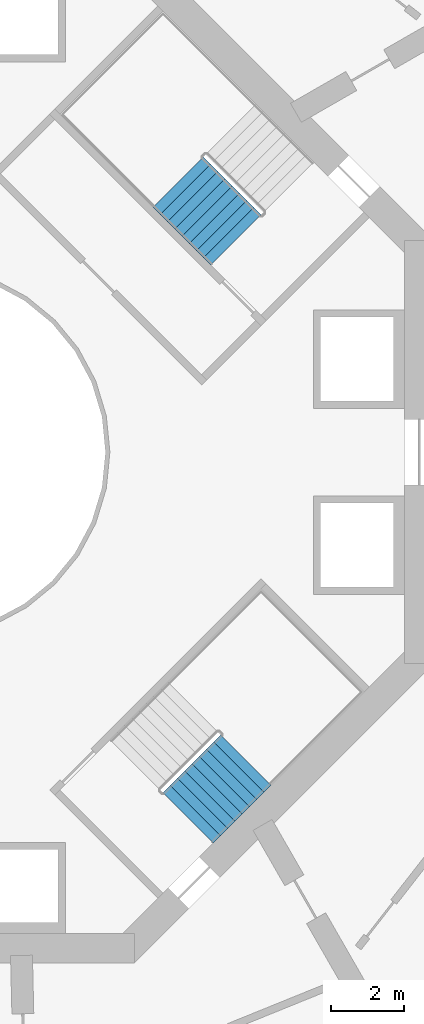
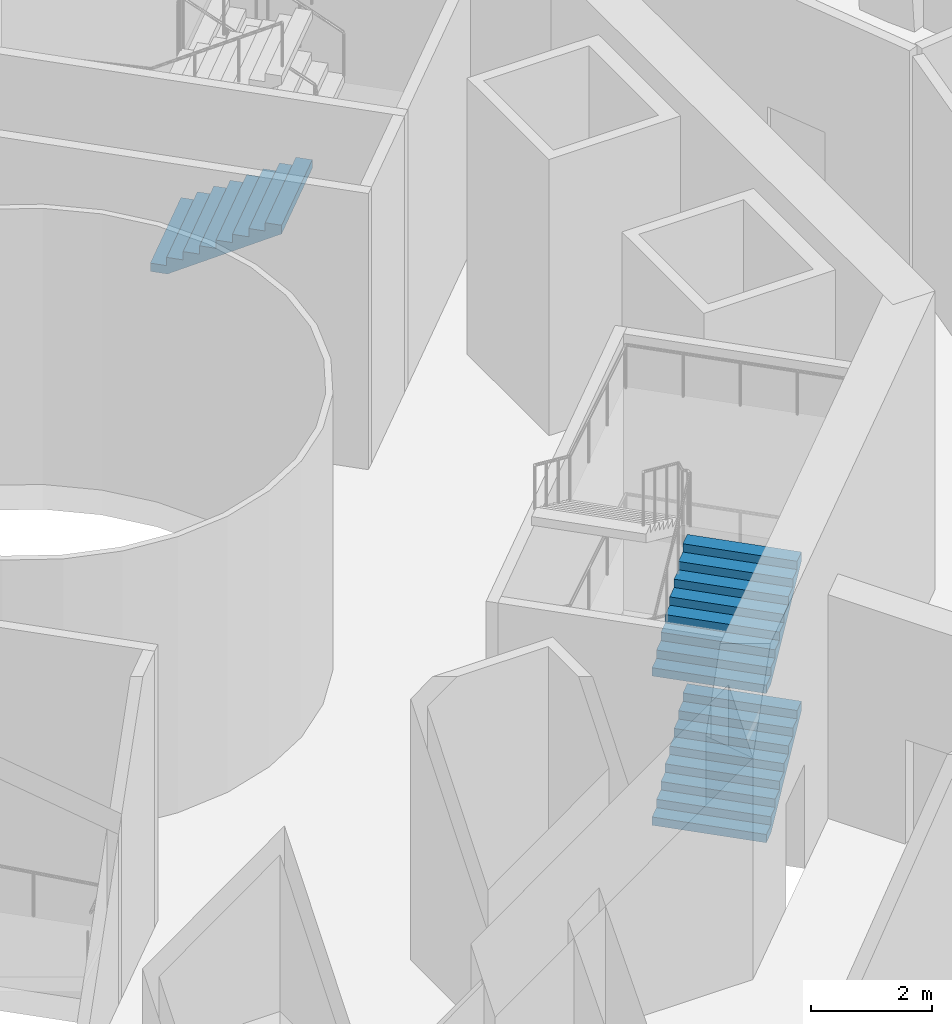
# One storey, part 14 of 17: 3 stair flights, 2 elements without a shape of their own.
"""IFC4 building model written with IfcOpenShell, lengths in metres."""

import ifcopenshell
import ifcopenshell.guid

model = None  # the IFC model being written
_history = None  # IfcOwnerHistory: only IFC2X3 demands one
_inside = {}  # id of a spatial element -> (the spatial element, [elements in it])
_under = {}  # id of a project, library or spatial element -> (it, [spatial elements below it])
_declared = {}  # id of a project -> (the project, [libraries it declares])
_typed = {}  # id of a type object -> (the type object, [elements of that type])
_made_of = {}  # id of a material, layer set ... -> (it, [elements and type objects made of it])


def new_model(schema):
    """Start an empty IFC model of exactly this schema.

    Asked for "IFC4X3", IfcOpenShell would pick the latest addendum, in which some entities
    have other attributes; the version numbers below select the first issue.
    IFC2X3 requires an IfcOwnerHistory on every rooted entity: one is made here for all.
    """
    global model, _history
    if schema == "IFC4X3":
        model = ifcopenshell.file(schema_version=(4, 3, 0, 0))
    else:
        model = ifcopenshell.file(schema=schema)
    _inside.clear()
    _under.clear()
    _declared.clear()
    _typed.clear()
    _made_of.clear()
    _history = None
    if model.schema == "IFC2X3":
        org = make("IfcOrganization", Name="unknown")
        user = make(
            "IfcPersonAndOrganization",
            ThePerson=make("IfcPerson", FamilyName="unknown"),
            TheOrganization=org,
        )
        app = make(
            "IfcApplication",
            ApplicationDeveloper=org,
            Version="unknown",
            ApplicationFullName="unknown",
            ApplicationIdentifier="unknown",
        )
        _history = make(
            "IfcOwnerHistory",
            OwningUser=user,
            OwningApplication=app,
            ChangeAction="ADDED",
            CreationDate=0,
        )
    return model


def make(cls, **values):
    """One entity of the class cls with the attributes given. An attribute that is None is left unset."""
    return model.create_entity(
        cls, **{name: value for name, value in values.items() if value is not None}
    )


def rooted(cls, **values):
    """An entity with a GlobalId (a new one), such as an element, a storey or a relation."""
    return make(cls, GlobalId=ifcopenshell.guid.new(), OwnerHistory=_history, **values)


def si_unit(unit_type, name, prefix=None):
    """IfcSIUnit, for example si_unit("LENGTHUNIT", "METRE", prefix="MILLI")."""
    return make("IfcSIUnit", UnitType=unit_type, Prefix=prefix, Name=name)


def assignment(units):
    """IfcUnitAssignment: the units of a project."""
    return None if units is None else make("IfcUnitAssignment", Units=units)


def point(xyz):
    """IfcCartesianPoint."""
    return None if xyz is None else make("IfcCartesianPoint", Coordinates=xyz)


def direction(xyz):
    """IfcDirection."""
    return None if xyz is None else make("IfcDirection", DirectionRatios=xyz)


def frame(location, z_axis=None, x_axis=None):
    """IfcAxis2Placement3D, a coordinate frame: its origin and axes. An axis left out is left unset."""
    return make(
        "IfcAxis2Placement3D",
        Location=point(location),
        Axis=direction(z_axis),
        RefDirection=direction(x_axis),
    )


def origin():
    """The frame at (0, 0, 0) with its axes left unset."""
    return frame((0.0, 0.0, 0.0))


def place(relative_to, where):
    """IfcLocalPlacement: puts the frame where relative to a parent placement (None: the world)."""
    return make(
        "IfcLocalPlacement", PlacementRelTo=relative_to, RelativePlacement=where
    )


def context(
    kind, dimensions, precision=None, world=None, true_north=None, identifier=None
):
    """IfcGeometricRepresentationContext, for example the 3D "Model" context."""
    return make(
        "IfcGeometricRepresentationContext",
        ContextIdentifier=identifier,
        ContextType=kind,
        CoordinateSpaceDimension=dimensions,
        Precision=precision,
        WorldCoordinateSystem=world,
        TrueNorth=true_north,
    )


def subcontext(parent, identifier, kind, view, scale=None):
    """IfcGeometricRepresentationSubContext, for example "Body" below "Model"."""
    return make(
        "IfcGeometricRepresentationSubContext",
        ContextIdentifier=identifier,
        ContextType=kind,
        ParentContext=parent,
        TargetScale=scale,
        TargetView=view,
    )


def project(units=None, contexts=None):
    """IfcProject with its units and contexts."""
    return rooted(
        "IfcProject",
        Name="project",
        RepresentationContexts=contexts,
        UnitsInContext=assignment(units),
    )


def spatial(cls, under=None, at=None, **own):
    """A site, building, storey or space (cls), placed at a placement, below another one or the project."""
    s = rooted(cls, ObjectPlacement=at, **own)
    if under is not None:
        _under.setdefault(under.id(), (under, []))[1].append(s)
    return s


def point_list(points):
    """IfcCartesianPointList2D or 3D."""
    cls = (
        "IfcCartesianPointList2D" if len(points[0]) == 2 else "IfcCartesianPointList3D"
    )
    return make(cls, CoordList=points)


def triangles(points, corners, closed=None, point_numbers=None):
    """IfcTriangulatedFaceSet: each triangle names its three corners, points numbered from 1."""
    return make(
        "IfcTriangulatedFaceSet",
        Coordinates=point_list(points),
        Closed=closed,
        CoordIndex=corners,
        PnIndex=point_numbers,
    )


def shape(context_of_items, identifier, shape_type, items):
    """IfcShapeRepresentation: the items that make up one representation, for example the "Body"."""
    return make(
        "IfcShapeRepresentation",
        ContextOfItems=context_of_items,
        RepresentationIdentifier=identifier,
        RepresentationType=shape_type,
        Items=items,
    )


def material(Name=None, Category=None):
    """IfcMaterial."""
    return make("IfcMaterial", Name=Name, Category=Category)


def made_of(thing, what):
    """Note that an element or type object is made of a material, layer set ...; save() writes the relation."""
    if what is not None:
        _made_of.setdefault(what.id(), (what, []))[1].append(thing)
    return thing


def type_object(cls, material=None, **own):
    """A type object (cls), such as IfcWallType, which elements share."""
    return made_of(rooted(cls, **own), material)


def element(
    cls,
    number,
    at=None,
    inside=None,
    cuts=None,
    type_object=None,
    material=None,
    context=None,
    identifier="Body",
    shape_type=None,
    held_by="IfcProductDefinitionShape",
    body=None,
    shapes=None,
    **own,
):
    """One element of the class cls, such as IfcWall. Its Tag is "e" and its number.

    at: its placement. inside: the storey or other place that contains it. cuts: it is an
    opening in that element (IfcRelVoidsElement). A single representation is given by context,
    identifier, shape_type and body (its items); several are given by shapes. held_by: the class
    of the entity that holds the representations. save() writes the other relations.
    """
    e = rooted(cls, Tag="e%d" % number, ObjectPlacement=at, **own)
    if body is not None:
        shapes = [shape(context, identifier, shape_type, body)]
    if shapes is not None:
        e.Representation = make(held_by, Representations=shapes)
    if inside is not None:
        _inside.setdefault(inside.id(), (inside, []))[1].append(e)
    if cuts is not None:
        rooted(
            "IfcRelVoidsElement", RelatingBuildingElement=cuts, RelatedOpeningElement=e
        )
    if type_object is not None:
        _typed.setdefault(type_object.id(), (type_object, []))[1].append(e)
    return made_of(e, material)


def aggregate(whole, parts):
    """IfcRelAggregates: a whole, such as a stair, and the parts it consists of."""
    return rooted("IfcRelAggregates", RelatingObject=whole, RelatedObjects=parts)


def save(model, path):
    """Write the relations noted so far, then the file.

    IfcRelAggregates (storeys below a building ...), IfcRelContainedInSpatialStructure (elements
    in a storey), IfcRelDefinesByType, IfcRelAssociatesMaterial and IfcRelDeclares: one each for
    every whole, place, type object, material and project.
    """
    for whole, parts in _under.values():
        aggregate(whole, parts)
    for where, things in _inside.values():
        rooted(
            "IfcRelContainedInSpatialStructure",
            RelatedElements=things,
            RelatingStructure=where,
        )
    for kind, things in _typed.values():
        rooted("IfcRelDefinesByType", RelatedObjects=things, RelatingType=kind)
    for what, things in _made_of.values():
        rooted("IfcRelAssociatesMaterial", RelatedObjects=things, RelatingMaterial=what)
    for by, libraries in _declared.values():
        rooted("IfcRelDeclares", RelatingContext=by, RelatedDefinitions=libraries)
    model.write(path)


model = new_model("IFC4")

# Units and contexts
model_context = context("Model", 3, precision=1e-05, world=origin(), true_north=direction((0.0, 1.0)))
body_context = subcontext(model_context, "Body", "Model", "MODEL_VIEW")
ifc_project = project(units=[si_unit("LENGTHUNIT", "METRE"), si_unit("AREAUNIT", "SQUARE_METRE"), si_unit("VOLUMEUNIT", "CUBIC_METRE"), si_unit("PLANEANGLEUNIT", "RADIAN"), si_unit("MASSUNIT", "GRAM", prefix="KILO")], contexts=[model_context])

# Site, building, storey
site_placement = place(None, origin())
site = spatial("IfcSite", under=ifc_project, at=site_placement, CompositionType="ELEMENT")
building_placement = place(site_placement, origin())
building = spatial("IfcBuilding", under=site, at=building_placement, Name="Verdalira Terraces Hotel", CompositionType="ELEMENT")
storey_placement = place(building_placement, frame((0.0, 0.0, 122.0)))
storey = spatial("IfcBuildingStorey", under=building, at=storey_placement, Name="L29", CompositionType="ELEMENT", Elevation=122.0)

# Stair, stair flight
ifc_material_1 = material(Name="Concrete C40", Category="concrete")
stair_type = type_object("IfcStairType", Name="Core stair 36 risers 1950 mm wide", PredefinedType="HALF_TURN_STAIR", material=ifc_material_1)
stair_1_placement = place(storey_placement, origin())
stair_1 = element("IfcStair", 1, at=stair_1_placement, inside=storey, type_object=stair_type, Name="L29 Exit stair ST1", PredefinedType="HALF_TURN_STAIR")
ifc_material_2 = material(Name="Concrete C40", Category="concrete")
stair_flight_type = type_object("IfcStairFlightType", Name="Core stair flight 36 risers 1950 mm wide", PredefinedType="STRAIGHT", material=ifc_material_2)
stair_flight_1_placement = place(storey_placement, frame((6.989746, 7.399902, 1.5), z_axis=(0.0, 0.0, 1.0), x_axis=(0.707106781, -0.707106781, 0.0)))
stair_flight_1 = element("IfcStairFlight", 2, at=stair_flight_1_placement, type_object=stair_flight_type, Name="ST1 flight 2", NumberOfRisers=9, NumberOfTreads=8, PredefinedType="STRAIGHT", RiserHeight=0.166666667, TreadLength=0.28, context=body_context, shape_type="Tessellation", body=[
    triangles([(0.0, 0.974976, 0.0), (0.292969, 0.974976, 0.0), (2.23999, 0.974976, 1.158936), (0.0, -0.974976, 0.0), (0.292969, -0.974976, 0.0), (2.23999, -0.974976, 1.158936), (2.23999, 0.974976, 1.333252), (1.959961, 0.974976, 1.333252), (2.23999, -0.974976, 1.333252), (1.959961, -0.974976, 1.333252), (1.959961, 0.974976, 1.166748), (1.959961, -0.974976, 1.166748), (1.679932, 0.974976, 1.166748), (1.679932, -0.974976, 1.166748), (1.679932, 0.974976, 1.0), (1.679932, -0.974976, 1.0), (1.399902, 0.974976, 1.0), (1.399902, 0.974976, 0.833252), (1.399902, -0.974976, 1.0), (1.399902, -0.974976, 0.833252), (1.120117, 0.974976, 0.833252), (1.120117, 0.974976, 0.666748), (1.120117, -0.974976, 0.833252), (1.120117, -0.974976, 0.666748), (0.840088, 0.974976, 0.666748), (0.840088, 0.974976, 0.5), (0.840088, -0.974976, 0.666748), (0.840088, -0.974976, 0.5), (0.560059, 0.974976, 0.5), (0.560059, 0.974976, 0.333252), (0.560059, -0.974976, 0.5), (0.560059, -0.974976, 0.333252), (0.280029, 0.974976, 0.333252), (0.280029, 0.974976, 0.166748), (0.280029, -0.974976, 0.333252), (0.280029, -0.974976, 0.166748), (0.0, 0.974976, 0.166748), (0.0, -0.974976, 0.166748), (0.0, -0.91404, 0.0), (0.0, -0.91404, 0.166748), (0.0, -0.853104, 0.0), (0.0, -0.853104, 0.166748), (0.0, -0.792168, 0.0), (0.0, -0.792168, 0.166748), (0.0, -0.731232, 0.0), (0.0, -0.731232, 0.166748), (0.0, -0.670296, 0.0), (0.0, -0.670296, 0.166748), (0.0, -0.60936, 0.0), (0.0, -0.60936, 0.166748), (0.0, -0.548424, 0.0), (0.0, -0.548424, 0.166748), (0.0, -0.487488, 0.0), (0.0, -0.487488, 0.166748), (0.0, -0.426552, 0.0), (0.0, -0.426552, 0.166748), (0.0, -0.365616, 0.0), (0.0, -0.365616, 0.166748), (0.0, -0.30468, 0.0), (0.0, -0.30468, 0.166748), (0.0, -0.243744, 0.0), (0.0, -0.243744, 0.166748), (0.0, -0.182808, 0.0), (0.0, -0.182808, 0.166748), (0.0, -0.121872, 0.0), (0.0, -0.121872, 0.166748), (0.0, -0.060936, 0.0), (0.0, -0.060936, 0.166748), (0.0, 0.0, 0.0), (0.0, 0.0, 0.166748), (0.0, 0.060936, 0.0), (0.0, 0.060936, 0.166748), (0.0, 0.121872, 0.0), (0.0, 0.121872, 0.166748), (0.0, 0.182808, 0.0), (0.0, 0.182808, 0.166748), (0.0, 0.243744, 0.0), (0.0, 0.243744, 0.166748), (0.0, 0.30468, 0.0), (0.0, 0.30468, 0.166748), (0.0, 0.365616, 0.0), (0.0, 0.365616, 0.166748), (0.0, 0.426552, 0.0), (0.0, 0.426552, 0.166748), (0.0, 0.487488, 0.0), (0.0, 0.487488, 0.166748), (0.0, 0.548424, 0.0), (0.0, 0.548424, 0.166748), (0.0, 0.60936, 0.0), (0.0, 0.60936, 0.166748), (0.0, 0.670296, 0.0), (0.0, 0.670296, 0.166748), (0.0, 0.731232, 0.0), (0.0, 0.731232, 0.166748), (0.0, 0.792168, 0.0), (0.0, 0.792168, 0.166748), (0.0, 0.853104, 0.0), (0.0, 0.853104, 0.166748), (0.0, 0.91404, 0.0), (0.0, 0.91404, 0.166748), (2.23999, -0.91404, 1.333252), (2.23999, -0.853104, 1.333252), (2.23999, -0.792168, 1.333252), (2.23999, -0.731232, 1.333252), (2.23999, -0.670296, 1.333252), (2.23999, -0.60936, 1.333252), (2.23999, -0.548424, 1.333252), (2.23999, -0.487488, 1.333252), (2.23999, -0.426552, 1.333252), (2.23999, -0.365616, 1.333252), (2.23999, -0.30468, 1.333252), (2.23999, -0.243744, 1.333252), (2.23999, -0.182808, 1.333252), (2.23999, -0.121872, 1.333252), (2.23999, -0.060936, 1.333252), (2.23999, 0.0, 1.333252), (2.23999, 0.060936, 1.333252), (2.23999, 0.121872, 1.333252), (2.23999, 0.182808, 1.333252), (2.23999, 0.243744, 1.333252), (2.23999, 0.30468, 1.333252), (2.23999, 0.365616, 1.333252), (2.23999, 0.426552, 1.333252), (2.23999, 0.487488, 1.333252), (2.23999, 0.548424, 1.333252), (2.23999, 0.60936, 1.333252), (2.23999, 0.670296, 1.333252), (2.23999, 0.731232, 1.333252), (2.23999, 0.792168, 1.333252), (2.23999, 0.853104, 1.333252), (2.23999, 0.91404, 1.333252), (2.23999, -0.91404, 1.158936), (2.23999, -0.853104, 1.158936), (2.23999, -0.792168, 1.158936), (2.23999, -0.731232, 1.158936), (2.23999, -0.670296, 1.158936), (2.23999, -0.60936, 1.158936), (2.23999, -0.548424, 1.158936), (2.23999, -0.487488, 1.158936), (2.23999, -0.426552, 1.158936), (2.23999, -0.365616, 1.158936), (2.23999, -0.30468, 1.158936), (2.23999, -0.243744, 1.158936), (2.23999, -0.182808, 1.158936), (2.23999, -0.121872, 1.158936), (2.23999, -0.060936, 1.158936), (2.23999, 0.0, 1.158936), (2.23999, 0.060936, 1.158936), (2.23999, 0.121872, 1.158936), (2.23999, 0.182808, 1.158936), (2.23999, 0.243744, 1.158936), (2.23999, 0.30468, 1.158936), (2.23999, 0.365616, 1.158936), (2.23999, 0.426552, 1.158936), (2.23999, 0.487488, 1.158936), (2.23999, 0.548424, 1.158936), (2.23999, 0.60936, 1.158936), (2.23999, 0.670296, 1.158936), (2.23999, 0.731232, 1.158936), (2.23999, 0.792168, 1.158936), (2.23999, 0.853104, 1.158936), (2.23999, 0.91404, 1.158936)], [[1, 3, 2], [4, 5, 6], [3, 8, 7], [6, 9, 10], [3, 11, 8], [6, 10, 12], [3, 13, 11], [6, 12, 14], [3, 15, 13], [6, 14, 16], [15, 18, 17], [16, 19, 20], [3, 18, 15], [6, 16, 20], [18, 22, 21], [20, 23, 24], [3, 22, 18], [6, 20, 24], [22, 26, 25], [24, 27, 28], [3, 26, 22], [6, 24, 28], [26, 30, 29], [28, 31, 32], [3, 30, 26], [6, 28, 32], [1, 30, 3], [4, 6, 32], [30, 34, 33], [32, 35, 36], [1, 34, 30], [4, 32, 36], [34, 1, 37], [36, 38, 4], [4, 40, 39], [4, 38, 40], [39, 42, 41], [39, 40, 42], [41, 44, 43], [41, 42, 44], [43, 46, 45], [43, 44, 46], [45, 48, 47], [45, 46, 48], [47, 50, 49], [47, 48, 50], [49, 52, 51], [49, 50, 52], [51, 54, 53], [51, 52, 54], [53, 56, 55], [53, 54, 56], [55, 58, 57], [55, 56, 58], [57, 60, 59], [57, 58, 60], [59, 62, 61], [59, 60, 62], [61, 64, 63], [61, 62, 64], [63, 66, 65], [63, 64, 66], [65, 68, 67], [65, 66, 68], [67, 70, 69], [67, 68, 70], [69, 72, 71], [69, 70, 72], [71, 74, 73], [71, 72, 74], [73, 76, 75], [73, 74, 76], [75, 78, 77], [75, 76, 78], [77, 80, 79], [77, 78, 80], [79, 82, 81], [79, 80, 82], [81, 84, 83], [81, 82, 84], [83, 86, 85], [83, 84, 86], [85, 88, 87], [85, 86, 88], [87, 90, 89], [87, 88, 90], [89, 92, 91], [89, 90, 92], [91, 94, 93], [91, 92, 94], [93, 96, 95], [93, 94, 96], [95, 98, 97], [95, 96, 98], [97, 100, 99], [97, 98, 100], [99, 37, 1], [99, 100, 37], [38, 36, 40], [40, 36, 42], [42, 36, 44], [44, 36, 46], [46, 36, 48], [48, 36, 50], [50, 36, 52], [52, 36, 54], [54, 36, 56], [56, 36, 58], [58, 36, 60], [60, 36, 62], [62, 36, 64], [64, 36, 66], [66, 36, 68], [68, 36, 70], [70, 36, 72], [72, 36, 74], [74, 36, 76], [76, 36, 78], [78, 36, 80], [80, 36, 82], [82, 36, 84], [84, 36, 86], [86, 36, 88], [88, 36, 90], [90, 36, 92], [92, 36, 94], [94, 36, 96], [96, 36, 98], [98, 36, 100], [100, 36, 37], [37, 36, 34], [36, 33, 34], [36, 35, 33], [35, 30, 33], [35, 32, 30], [32, 29, 30], [32, 31, 29], [31, 26, 29], [31, 28, 26], [28, 25, 26], [28, 27, 25], [27, 22, 25], [27, 24, 22], [24, 21, 22], [24, 23, 21], [23, 18, 21], [23, 20, 18], [20, 17, 18], [20, 19, 17], [19, 15, 17], [19, 16, 15], [16, 13, 15], [16, 14, 13], [14, 11, 13], [14, 12, 11], [12, 8, 11], [12, 10, 8], [9, 101, 10], [101, 102, 10], [102, 103, 10], [103, 104, 10], [104, 105, 10], [105, 106, 10], [106, 107, 10], [107, 108, 10], [108, 109, 10], [109, 110, 10], [110, 111, 10], [111, 112, 10], [112, 113, 10], [113, 114, 10], [114, 115, 10], [115, 116, 10], [116, 117, 10], [117, 118, 10], [118, 119, 10], [119, 120, 10], [120, 121, 10], [121, 122, 10], [122, 123, 10], [123, 124, 10], [124, 125, 10], [125, 126, 10], [126, 127, 10], [127, 128, 10], [128, 129, 10], [129, 130, 10], [130, 131, 10], [131, 7, 10], [7, 8, 10], [9, 132, 101], [9, 6, 132], [101, 133, 102], [101, 132, 133], [102, 134, 103], [102, 133, 134], [103, 135, 104], [103, 134, 135], [104, 136, 105], [104, 135, 136], [105, 137, 106], [105, 136, 137], [106, 138, 107], [106, 137, 138], [107, 139, 108], [107, 138, 139], [108, 140, 109], [108, 139, 140], [109, 141, 110], [109, 140, 141], [110, 142, 111], [110, 141, 142], [111, 143, 112], [111, 142, 143], [112, 144, 113], [112, 143, 144], [113, 145, 114], [113, 144, 145], [114, 146, 115], [114, 145, 146], [115, 147, 116], [115, 146, 147], [116, 148, 117], [116, 147, 148], [117, 149, 118], [117, 148, 149], [118, 150, 119], [118, 149, 150], [119, 151, 120], [119, 150, 151], [120, 152, 121], [120, 151, 152], [121, 153, 122], [121, 152, 153], [122, 154, 123], [122, 153, 154], [123, 155, 124], [123, 154, 155], [124, 156, 125], [124, 155, 156], [125, 157, 126], [125, 156, 157], [126, 158, 127], [126, 157, 158], [127, 159, 128], [127, 158, 159], [128, 160, 129], [128, 159, 160], [129, 161, 130], [129, 160, 161], [130, 162, 131], [130, 161, 162], [131, 3, 7], [131, 162, 3], [6, 5, 132], [132, 5, 133], [133, 5, 134], [134, 5, 135], [135, 5, 136], [136, 5, 137], [137, 5, 138], [138, 5, 139], [139, 5, 140], [140, 5, 141], [141, 5, 142], [142, 5, 143], [143, 5, 144], [144, 5, 145], [145, 5, 146], [146, 5, 147], [147, 5, 148], [148, 5, 149], [149, 5, 150], [150, 5, 151], [151, 5, 152], [152, 5, 153], [153, 5, 154], [154, 5, 155], [155, 5, 156], [156, 5, 157], [157, 5, 158], [158, 5, 159], [159, 5, 160], [160, 5, 161], [161, 5, 162], [162, 5, 3], [3, 5, 2], [4, 39, 5], [39, 41, 5], [41, 43, 5], [43, 45, 5], [45, 47, 5], [47, 49, 5], [49, 51, 5], [51, 53, 5], [53, 55, 5], [55, 57, 5], [57, 59, 5], [59, 61, 5], [61, 63, 5], [63, 65, 5], [65, 67, 5], [67, 69, 5], [69, 71, 5], [71, 73, 5], [73, 75, 5], [75, 77, 5], [77, 79, 5], [79, 81, 5], [81, 83, 5], [83, 85, 5], [85, 87, 5], [87, 89, 5], [89, 91, 5], [91, 93, 5], [93, 95, 5], [95, 97, 5], [97, 99, 5], [99, 1, 5], [1, 2, 5]], closed=True),
])
aggregate(stair_1, [stair_flight_1])

# Stair, stair flights
stair_2_placement = place(storey_placement, origin())
stair_2 = element("IfcStair", 3, at=stair_2_placement, inside=storey, type_object=stair_type, Name="L29 Exit stair ST3", PredefinedType="HALF_TURN_STAIR")
stair_flight_2_placement = place(storey_placement, frame((7.265625, -10.023193, 0.0), z_axis=(0.0, 0.0, 1.0), x_axis=(0.707106781, 0.707106781, 0.0)))
stair_flight_2 = element("IfcStairFlight", 4, at=stair_flight_2_placement, type_object=stair_flight_type, Name="ST3 flight 1", NumberOfRisers=9, NumberOfTreads=8, PredefinedType="STRAIGHT", RiserHeight=0.166666667, TreadLength=0.28, context=body_context, shape_type="Tessellation", body=[
    triangles([(0.0, 0.974976, 0.0), (0.292969, 0.974976, 0.0), (2.23999, 0.974976, 1.158936), (0.0, -0.974976, 0.0), (0.292969, -0.974976, 0.0), (2.23999, -0.974976, 1.158936), (2.23999, 0.974976, 1.333252), (1.959961, 0.974976, 1.333252), (2.23999, -0.974976, 1.333252), (1.959961, -0.974976, 1.333252), (1.959961, 0.974976, 1.166748), (1.959961, -0.974976, 1.166748), (1.679932, 0.974976, 1.166748), (1.679932, -0.974976, 1.166748), (1.679932, 0.974976, 1.0), (1.679932, -0.974976, 1.0), (1.399902, 0.974976, 1.0), (1.399902, 0.974976, 0.833252), (1.399902, -0.974976, 1.0), (1.399902, -0.974976, 0.833252), (1.120117, 0.974976, 0.833252), (1.120117, 0.974976, 0.666748), (1.120117, -0.974976, 0.833252), (1.120117, -0.974976, 0.666748), (0.840088, 0.974976, 0.666748), (0.840088, 0.974976, 0.5), (0.840088, -0.974976, 0.666748), (0.840088, -0.974976, 0.5), (0.560059, 0.974976, 0.5), (0.560059, 0.974976, 0.333252), (0.560059, -0.974976, 0.5), (0.560059, -0.974976, 0.333252), (0.280029, 0.974976, 0.333252), (0.280029, 0.974976, 0.166748), (0.280029, -0.974976, 0.333252), (0.280029, -0.974976, 0.166748), (0.0, 0.974976, 0.166748), (0.0, -0.974976, 0.166748), (0.0, -0.91404, 0.0), (0.0, -0.91404, 0.166748), (0.0, -0.853104, 0.0), (0.0, -0.853104, 0.166748), (0.0, -0.792168, 0.0), (0.0, -0.792168, 0.166748), (0.0, -0.731232, 0.0), (0.0, -0.731232, 0.166748), (0.0, -0.670296, 0.0), (0.0, -0.670296, 0.166748), (0.0, -0.60936, 0.0), (0.0, -0.60936, 0.166748), (0.0, -0.548424, 0.0), (0.0, -0.548424, 0.166748), (0.0, -0.487488, 0.0), (0.0, -0.487488, 0.166748), (0.0, -0.426552, 0.0), (0.0, -0.426552, 0.166748), (0.0, -0.365616, 0.0), (0.0, -0.365616, 0.166748), (0.0, -0.30468, 0.0), (0.0, -0.30468, 0.166748), (0.0, -0.243744, 0.0), (0.0, -0.243744, 0.166748), (0.0, -0.182808, 0.0), (0.0, -0.182808, 0.166748), (0.0, -0.121872, 0.0), (0.0, -0.121872, 0.166748), (0.0, -0.060936, 0.0), (0.0, -0.060936, 0.166748), (0.0, 0.0, 0.0), (0.0, 0.0, 0.166748), (0.0, 0.060936, 0.0), (0.0, 0.060936, 0.166748), (0.0, 0.121872, 0.0), (0.0, 0.121872, 0.166748), (0.0, 0.182808, 0.0), (0.0, 0.182808, 0.166748), (0.0, 0.243744, 0.0), (0.0, 0.243744, 0.166748), (0.0, 0.30468, 0.0), (0.0, 0.30468, 0.166748), (0.0, 0.365616, 0.0), (0.0, 0.365616, 0.166748), (0.0, 0.426552, 0.0), (0.0, 0.426552, 0.166748), (0.0, 0.487488, 0.0), (0.0, 0.487488, 0.166748), (0.0, 0.548424, 0.0), (0.0, 0.548424, 0.166748), (0.0, 0.60936, 0.0), (0.0, 0.60936, 0.166748), (0.0, 0.670296, 0.0), (0.0, 0.670296, 0.166748), (0.0, 0.731232, 0.0), (0.0, 0.731232, 0.166748), (0.0, 0.792168, 0.0), (0.0, 0.792168, 0.166748), (0.0, 0.853104, 0.0), (0.0, 0.853104, 0.166748), (0.0, 0.91404, 0.0), (0.0, 0.91404, 0.166748), (2.23999, -0.91404, 1.333252), (2.23999, -0.853104, 1.333252), (2.23999, -0.792168, 1.333252), (2.23999, -0.731232, 1.333252), (2.23999, -0.670296, 1.333252), (2.23999, -0.60936, 1.333252), (2.23999, -0.548424, 1.333252), (2.23999, -0.487488, 1.333252), (2.23999, -0.426552, 1.333252), (2.23999, -0.365616, 1.333252), (2.23999, -0.30468, 1.333252), (2.23999, -0.243744, 1.333252), (2.23999, -0.182808, 1.333252), (2.23999, -0.121872, 1.333252), (2.23999, -0.060936, 1.333252), (2.23999, 0.0, 1.333252), (2.23999, 0.060936, 1.333252), (2.23999, 0.121872, 1.333252), (2.23999, 0.182808, 1.333252), (2.23999, 0.243744, 1.333252), (2.23999, 0.30468, 1.333252), (2.23999, 0.365616, 1.333252), (2.23999, 0.426552, 1.333252), (2.23999, 0.487488, 1.333252), (2.23999, 0.548424, 1.333252), (2.23999, 0.60936, 1.333252), (2.23999, 0.670296, 1.333252), (2.23999, 0.731232, 1.333252), (2.23999, 0.792168, 1.333252), (2.23999, 0.853104, 1.333252), (2.23999, 0.91404, 1.333252), (2.23999, -0.91404, 1.158936), (2.23999, -0.853104, 1.158936), (2.23999, -0.792168, 1.158936), (2.23999, -0.731232, 1.158936), (2.23999, -0.670296, 1.158936), (2.23999, -0.60936, 1.158936), (2.23999, -0.548424, 1.158936), (2.23999, -0.487488, 1.158936), (2.23999, -0.426552, 1.158936), (2.23999, -0.365616, 1.158936), (2.23999, -0.30468, 1.158936), (2.23999, -0.243744, 1.158936), (2.23999, -0.182808, 1.158936), (2.23999, -0.121872, 1.158936), (2.23999, -0.060936, 1.158936), (2.23999, 0.0, 1.158936), (2.23999, 0.060936, 1.158936), (2.23999, 0.121872, 1.158936), (2.23999, 0.182808, 1.158936), (2.23999, 0.243744, 1.158936), (2.23999, 0.30468, 1.158936), (2.23999, 0.365616, 1.158936), (2.23999, 0.426552, 1.158936), (2.23999, 0.487488, 1.158936), (2.23999, 0.548424, 1.158936), (2.23999, 0.60936, 1.158936), (2.23999, 0.670296, 1.158936), (2.23999, 0.731232, 1.158936), (2.23999, 0.792168, 1.158936), (2.23999, 0.853104, 1.158936), (2.23999, 0.91404, 1.158936)], [[1, 3, 2], [4, 5, 6], [3, 8, 7], [6, 9, 10], [3, 11, 8], [6, 10, 12], [3, 13, 11], [6, 12, 14], [3, 15, 13], [6, 14, 16], [15, 18, 17], [16, 19, 20], [3, 18, 15], [6, 16, 20], [18, 22, 21], [20, 23, 24], [3, 22, 18], [6, 20, 24], [22, 26, 25], [24, 27, 28], [3, 26, 22], [6, 24, 28], [26, 30, 29], [28, 31, 32], [3, 30, 26], [6, 28, 32], [1, 30, 3], [4, 6, 32], [30, 34, 33], [32, 35, 36], [1, 34, 30], [4, 32, 36], [34, 1, 37], [36, 38, 4], [4, 40, 39], [4, 38, 40], [39, 42, 41], [39, 40, 42], [41, 44, 43], [41, 42, 44], [43, 46, 45], [43, 44, 46], [45, 48, 47], [45, 46, 48], [47, 50, 49], [47, 48, 50], [49, 52, 51], [49, 50, 52], [51, 54, 53], [51, 52, 54], [53, 56, 55], [53, 54, 56], [55, 58, 57], [55, 56, 58], [57, 60, 59], [57, 58, 60], [59, 62, 61], [59, 60, 62], [61, 64, 63], [61, 62, 64], [63, 66, 65], [63, 64, 66], [65, 68, 67], [65, 66, 68], [67, 70, 69], [67, 68, 70], [69, 72, 71], [69, 70, 72], [71, 74, 73], [71, 72, 74], [73, 76, 75], [73, 74, 76], [75, 78, 77], [75, 76, 78], [77, 80, 79], [77, 78, 80], [79, 82, 81], [79, 80, 82], [81, 84, 83], [81, 82, 84], [83, 86, 85], [83, 84, 86], [85, 88, 87], [85, 86, 88], [87, 90, 89], [87, 88, 90], [89, 92, 91], [89, 90, 92], [91, 94, 93], [91, 92, 94], [93, 96, 95], [93, 94, 96], [95, 98, 97], [95, 96, 98], [97, 100, 99], [97, 98, 100], [99, 37, 1], [99, 100, 37], [38, 36, 40], [40, 36, 42], [42, 36, 44], [44, 36, 46], [46, 36, 48], [48, 36, 50], [50, 36, 52], [52, 36, 54], [54, 36, 56], [56, 36, 58], [58, 36, 60], [60, 36, 62], [62, 36, 64], [64, 36, 66], [66, 36, 68], [68, 36, 70], [70, 36, 72], [72, 36, 74], [74, 36, 76], [76, 36, 78], [78, 36, 80], [80, 36, 82], [82, 36, 84], [84, 36, 86], [86, 36, 88], [88, 36, 90], [90, 36, 92], [92, 36, 94], [94, 36, 96], [96, 36, 98], [98, 36, 100], [100, 36, 37], [37, 36, 34], [36, 33, 34], [36, 35, 33], [35, 30, 33], [35, 32, 30], [32, 29, 30], [32, 31, 29], [31, 26, 29], [31, 28, 26], [28, 25, 26], [28, 27, 25], [27, 22, 25], [27, 24, 22], [24, 21, 22], [24, 23, 21], [23, 18, 21], [23, 20, 18], [20, 17, 18], [20, 19, 17], [19, 15, 17], [19, 16, 15], [16, 13, 15], [16, 14, 13], [14, 11, 13], [14, 12, 11], [12, 8, 11], [12, 10, 8], [9, 101, 10], [101, 102, 10], [102, 103, 10], [103, 104, 10], [104, 105, 10], [105, 106, 10], [106, 107, 10], [107, 108, 10], [108, 109, 10], [109, 110, 10], [110, 111, 10], [111, 112, 10], [112, 113, 10], [113, 114, 10], [114, 115, 10], [115, 116, 10], [116, 117, 10], [117, 118, 10], [118, 119, 10], [119, 120, 10], [120, 121, 10], [121, 122, 10], [122, 123, 10], [123, 124, 10], [124, 125, 10], [125, 126, 10], [126, 127, 10], [127, 128, 10], [128, 129, 10], [129, 130, 10], [130, 131, 10], [131, 7, 10], [7, 8, 10], [9, 132, 101], [9, 6, 132], [101, 133, 102], [101, 132, 133], [102, 134, 103], [102, 133, 134], [103, 135, 104], [103, 134, 135], [104, 136, 105], [104, 135, 136], [105, 137, 106], [105, 136, 137], [106, 138, 107], [106, 137, 138], [107, 139, 108], [107, 138, 139], [108, 140, 109], [108, 139, 140], [109, 141, 110], [109, 140, 141], [110, 142, 111], [110, 141, 142], [111, 143, 112], [111, 142, 143], [112, 144, 113], [112, 143, 144], [113, 145, 114], [113, 144, 145], [114, 146, 115], [114, 145, 146], [115, 147, 116], [115, 146, 147], [116, 148, 117], [116, 147, 148], [117, 149, 118], [117, 148, 149], [118, 150, 119], [118, 149, 150], [119, 151, 120], [119, 150, 151], [120, 152, 121], [120, 151, 152], [121, 153, 122], [121, 152, 153], [122, 154, 123], [122, 153, 154], [123, 155, 124], [123, 154, 155], [124, 156, 125], [124, 155, 156], [125, 157, 126], [125, 156, 157], [126, 158, 127], [126, 157, 158], [127, 159, 128], [127, 158, 159], [128, 160, 129], [128, 159, 160], [129, 161, 130], [129, 160, 161], [130, 162, 131], [130, 161, 162], [131, 3, 7], [131, 162, 3], [6, 5, 132], [132, 5, 133], [133, 5, 134], [134, 5, 135], [135, 5, 136], [136, 5, 137], [137, 5, 138], [138, 5, 139], [139, 5, 140], [140, 5, 141], [141, 5, 142], [142, 5, 143], [143, 5, 144], [144, 5, 145], [145, 5, 146], [146, 5, 147], [147, 5, 148], [148, 5, 149], [149, 5, 150], [150, 5, 151], [151, 5, 152], [152, 5, 153], [153, 5, 154], [154, 5, 155], [155, 5, 156], [156, 5, 157], [157, 5, 158], [158, 5, 159], [159, 5, 160], [160, 5, 161], [161, 5, 162], [162, 5, 3], [3, 5, 2], [4, 39, 5], [39, 41, 5], [41, 43, 5], [43, 45, 5], [45, 47, 5], [47, 49, 5], [49, 51, 5], [51, 53, 5], [53, 55, 5], [55, 57, 5], [57, 59, 5], [59, 61, 5], [61, 63, 5], [63, 65, 5], [65, 67, 5], [67, 69, 5], [69, 71, 5], [71, 73, 5], [73, 75, 5], [75, 77, 5], [77, 79, 5], [79, 81, 5], [81, 83, 5], [83, 85, 5], [85, 87, 5], [87, 89, 5], [89, 91, 5], [91, 93, 5], [93, 95, 5], [95, 97, 5], [97, 99, 5], [99, 1, 5], [1, 2, 5]], closed=True),
])
stair_flight_3_placement = place(storey_placement, frame((7.265625, -10.023193, 3.0), z_axis=(0.0, 0.0, 1.0), x_axis=(0.707106781, 0.707106781, 0.0)))
stair_flight_3 = element("IfcStairFlight", 5, at=stair_flight_3_placement, type_object=stair_flight_type, Name="ST3 flight 3", NumberOfRisers=9, NumberOfTreads=8, PredefinedType="STRAIGHT", RiserHeight=0.166666667, TreadLength=0.28, context=body_context, shape_type="Tessellation", body=[
    triangles([(0.0, 0.974976, 0.0), (0.292969, 0.974976, 0.0), (2.23999, 0.974976, 1.158936), (0.0, -0.974976, 0.0), (0.292969, -0.974976, 0.0), (2.23999, -0.974976, 1.158936), (2.23999, 0.974976, 1.333252), (1.959961, 0.974976, 1.333252), (2.23999, -0.974976, 1.333252), (1.959961, -0.974976, 1.333252), (1.959961, 0.974976, 1.166748), (1.959961, -0.974976, 1.166748), (1.679932, 0.974976, 1.166748), (1.679932, -0.974976, 1.166748), (1.679932, 0.974976, 1.0), (1.679932, -0.974976, 1.0), (1.399902, 0.974976, 1.0), (1.399902, 0.974976, 0.833252), (1.399902, -0.974976, 1.0), (1.399902, -0.974976, 0.833252), (1.120117, 0.974976, 0.833252), (1.120117, 0.974976, 0.666748), (1.120117, -0.974976, 0.833252), (1.120117, -0.974976, 0.666748), (0.840088, 0.974976, 0.666748), (0.840088, 0.974976, 0.5), (0.840088, -0.974976, 0.666748), (0.840088, -0.974976, 0.5), (0.560059, 0.974976, 0.5), (0.560059, 0.974976, 0.333252), (0.560059, -0.974976, 0.5), (0.560059, -0.974976, 0.333252), (0.280029, 0.974976, 0.333252), (0.280029, 0.974976, 0.166748), (0.280029, -0.974976, 0.333252), (0.280029, -0.974976, 0.166748), (0.0, 0.974976, 0.166748), (0.0, -0.974976, 0.166748), (0.0, -0.91404, 0.0), (0.0, -0.91404, 0.166748), (0.0, -0.853104, 0.0), (0.0, -0.853104, 0.166748), (0.0, -0.792168, 0.0), (0.0, -0.792168, 0.166748), (0.0, -0.731232, 0.0), (0.0, -0.731232, 0.166748), (0.0, -0.670296, 0.0), (0.0, -0.670296, 0.166748), (0.0, -0.60936, 0.0), (0.0, -0.60936, 0.166748), (0.0, -0.548424, 0.0), (0.0, -0.548424, 0.166748), (0.0, -0.487488, 0.0), (0.0, -0.487488, 0.166748), (0.0, -0.426552, 0.0), (0.0, -0.426552, 0.166748), (0.0, -0.365616, 0.0), (0.0, -0.365616, 0.166748), (0.0, -0.30468, 0.0), (0.0, -0.30468, 0.166748), (0.0, -0.243744, 0.0), (0.0, -0.243744, 0.166748), (0.0, -0.182808, 0.0), (0.0, -0.182808, 0.166748), (0.0, -0.121872, 0.0), (0.0, -0.121872, 0.166748), (0.0, -0.060936, 0.0), (0.0, -0.060936, 0.166748), (0.0, 0.0, 0.0), (0.0, 0.0, 0.166748), (0.0, 0.060936, 0.0), (0.0, 0.060936, 0.166748), (0.0, 0.121872, 0.0), (0.0, 0.121872, 0.166748), (0.0, 0.182808, 0.0), (0.0, 0.182808, 0.166748), (0.0, 0.243744, 0.0), (0.0, 0.243744, 0.166748), (0.0, 0.30468, 0.0), (0.0, 0.30468, 0.166748), (0.0, 0.365616, 0.0), (0.0, 0.365616, 0.166748), (0.0, 0.426552, 0.0), (0.0, 0.426552, 0.166748), (0.0, 0.487488, 0.0), (0.0, 0.487488, 0.166748), (0.0, 0.548424, 0.0), (0.0, 0.548424, 0.166748), (0.0, 0.60936, 0.0), (0.0, 0.60936, 0.166748), (0.0, 0.670296, 0.0), (0.0, 0.670296, 0.166748), (0.0, 0.731232, 0.0), (0.0, 0.731232, 0.166748), (0.0, 0.792168, 0.0), (0.0, 0.792168, 0.166748), (0.0, 0.853104, 0.0), (0.0, 0.853104, 0.166748), (0.0, 0.91404, 0.0), (0.0, 0.91404, 0.166748), (2.23999, -0.91404, 1.333252), (2.23999, -0.853104, 1.333252), (2.23999, -0.792168, 1.333252), (2.23999, -0.731232, 1.333252), (2.23999, -0.670296, 1.333252), (2.23999, -0.60936, 1.333252), (2.23999, -0.548424, 1.333252), (2.23999, -0.487488, 1.333252), (2.23999, -0.426552, 1.333252), (2.23999, -0.365616, 1.333252), (2.23999, -0.30468, 1.333252), (2.23999, -0.243744, 1.333252), (2.23999, -0.182808, 1.333252), (2.23999, -0.121872, 1.333252), (2.23999, -0.060936, 1.333252), (2.23999, 0.0, 1.333252), (2.23999, 0.060936, 1.333252), (2.23999, 0.121872, 1.333252), (2.23999, 0.182808, 1.333252), (2.23999, 0.243744, 1.333252), (2.23999, 0.30468, 1.333252), (2.23999, 0.365616, 1.333252), (2.23999, 0.426552, 1.333252), (2.23999, 0.487488, 1.333252), (2.23999, 0.548424, 1.333252), (2.23999, 0.60936, 1.333252), (2.23999, 0.670296, 1.333252), (2.23999, 0.731232, 1.333252), (2.23999, 0.792168, 1.333252), (2.23999, 0.853104, 1.333252), (2.23999, 0.91404, 1.333252), (2.23999, -0.91404, 1.158936), (2.23999, -0.853104, 1.158936), (2.23999, -0.792168, 1.158936), (2.23999, -0.731232, 1.158936), (2.23999, -0.670296, 1.158936), (2.23999, -0.60936, 1.158936), (2.23999, -0.548424, 1.158936), (2.23999, -0.487488, 1.158936), (2.23999, -0.426552, 1.158936), (2.23999, -0.365616, 1.158936), (2.23999, -0.30468, 1.158936), (2.23999, -0.243744, 1.158936), (2.23999, -0.182808, 1.158936), (2.23999, -0.121872, 1.158936), (2.23999, -0.060936, 1.158936), (2.23999, 0.0, 1.158936), (2.23999, 0.060936, 1.158936), (2.23999, 0.121872, 1.158936), (2.23999, 0.182808, 1.158936), (2.23999, 0.243744, 1.158936), (2.23999, 0.30468, 1.158936), (2.23999, 0.365616, 1.158936), (2.23999, 0.426552, 1.158936), (2.23999, 0.487488, 1.158936), (2.23999, 0.548424, 1.158936), (2.23999, 0.60936, 1.158936), (2.23999, 0.670296, 1.158936), (2.23999, 0.731232, 1.158936), (2.23999, 0.792168, 1.158936), (2.23999, 0.853104, 1.158936), (2.23999, 0.91404, 1.158936)], [[1, 3, 2], [4, 5, 6], [3, 8, 7], [6, 9, 10], [3, 11, 8], [6, 10, 12], [3, 13, 11], [6, 12, 14], [3, 15, 13], [6, 14, 16], [15, 18, 17], [16, 19, 20], [3, 18, 15], [6, 16, 20], [18, 22, 21], [20, 23, 24], [3, 22, 18], [6, 20, 24], [22, 26, 25], [24, 27, 28], [3, 26, 22], [6, 24, 28], [26, 30, 29], [28, 31, 32], [3, 30, 26], [6, 28, 32], [1, 30, 3], [4, 6, 32], [30, 34, 33], [32, 35, 36], [1, 34, 30], [4, 32, 36], [34, 1, 37], [36, 38, 4], [4, 40, 39], [4, 38, 40], [39, 42, 41], [39, 40, 42], [41, 44, 43], [41, 42, 44], [43, 46, 45], [43, 44, 46], [45, 48, 47], [45, 46, 48], [47, 50, 49], [47, 48, 50], [49, 52, 51], [49, 50, 52], [51, 54, 53], [51, 52, 54], [53, 56, 55], [53, 54, 56], [55, 58, 57], [55, 56, 58], [57, 60, 59], [57, 58, 60], [59, 62, 61], [59, 60, 62], [61, 64, 63], [61, 62, 64], [63, 66, 65], [63, 64, 66], [65, 68, 67], [65, 66, 68], [67, 70, 69], [67, 68, 70], [69, 72, 71], [69, 70, 72], [71, 74, 73], [71, 72, 74], [73, 76, 75], [73, 74, 76], [75, 78, 77], [75, 76, 78], [77, 80, 79], [77, 78, 80], [79, 82, 81], [79, 80, 82], [81, 84, 83], [81, 82, 84], [83, 86, 85], [83, 84, 86], [85, 88, 87], [85, 86, 88], [87, 90, 89], [87, 88, 90], [89, 92, 91], [89, 90, 92], [91, 94, 93], [91, 92, 94], [93, 96, 95], [93, 94, 96], [95, 98, 97], [95, 96, 98], [97, 100, 99], [97, 98, 100], [99, 37, 1], [99, 100, 37], [38, 36, 40], [40, 36, 42], [42, 36, 44], [44, 36, 46], [46, 36, 48], [48, 36, 50], [50, 36, 52], [52, 36, 54], [54, 36, 56], [56, 36, 58], [58, 36, 60], [60, 36, 62], [62, 36, 64], [64, 36, 66], [66, 36, 68], [68, 36, 70], [70, 36, 72], [72, 36, 74], [74, 36, 76], [76, 36, 78], [78, 36, 80], [80, 36, 82], [82, 36, 84], [84, 36, 86], [86, 36, 88], [88, 36, 90], [90, 36, 92], [92, 36, 94], [94, 36, 96], [96, 36, 98], [98, 36, 100], [100, 36, 37], [37, 36, 34], [36, 33, 34], [36, 35, 33], [35, 30, 33], [35, 32, 30], [32, 29, 30], [32, 31, 29], [31, 26, 29], [31, 28, 26], [28, 25, 26], [28, 27, 25], [27, 22, 25], [27, 24, 22], [24, 21, 22], [24, 23, 21], [23, 18, 21], [23, 20, 18], [20, 17, 18], [20, 19, 17], [19, 15, 17], [19, 16, 15], [16, 13, 15], [16, 14, 13], [14, 11, 13], [14, 12, 11], [12, 8, 11], [12, 10, 8], [9, 101, 10], [101, 102, 10], [102, 103, 10], [103, 104, 10], [104, 105, 10], [105, 106, 10], [106, 107, 10], [107, 108, 10], [108, 109, 10], [109, 110, 10], [110, 111, 10], [111, 112, 10], [112, 113, 10], [113, 114, 10], [114, 115, 10], [115, 116, 10], [116, 117, 10], [117, 118, 10], [118, 119, 10], [119, 120, 10], [120, 121, 10], [121, 122, 10], [122, 123, 10], [123, 124, 10], [124, 125, 10], [125, 126, 10], [126, 127, 10], [127, 128, 10], [128, 129, 10], [129, 130, 10], [130, 131, 10], [131, 7, 10], [7, 8, 10], [9, 132, 101], [9, 6, 132], [101, 133, 102], [101, 132, 133], [102, 134, 103], [102, 133, 134], [103, 135, 104], [103, 134, 135], [104, 136, 105], [104, 135, 136], [105, 137, 106], [105, 136, 137], [106, 138, 107], [106, 137, 138], [107, 139, 108], [107, 138, 139], [108, 140, 109], [108, 139, 140], [109, 141, 110], [109, 140, 141], [110, 142, 111], [110, 141, 142], [111, 143, 112], [111, 142, 143], [112, 144, 113], [112, 143, 144], [113, 145, 114], [113, 144, 145], [114, 146, 115], [114, 145, 146], [115, 147, 116], [115, 146, 147], [116, 148, 117], [116, 147, 148], [117, 149, 118], [117, 148, 149], [118, 150, 119], [118, 149, 150], [119, 151, 120], [119, 150, 151], [120, 152, 121], [120, 151, 152], [121, 153, 122], [121, 152, 153], [122, 154, 123], [122, 153, 154], [123, 155, 124], [123, 154, 155], [124, 156, 125], [124, 155, 156], [125, 157, 126], [125, 156, 157], [126, 158, 127], [126, 157, 158], [127, 159, 128], [127, 158, 159], [128, 160, 129], [128, 159, 160], [129, 161, 130], [129, 160, 161], [130, 162, 131], [130, 161, 162], [131, 3, 7], [131, 162, 3], [6, 5, 132], [132, 5, 133], [133, 5, 134], [134, 5, 135], [135, 5, 136], [136, 5, 137], [137, 5, 138], [138, 5, 139], [139, 5, 140], [140, 5, 141], [141, 5, 142], [142, 5, 143], [143, 5, 144], [144, 5, 145], [145, 5, 146], [146, 5, 147], [147, 5, 148], [148, 5, 149], [149, 5, 150], [150, 5, 151], [151, 5, 152], [152, 5, 153], [153, 5, 154], [154, 5, 155], [155, 5, 156], [156, 5, 157], [157, 5, 158], [158, 5, 159], [159, 5, 160], [160, 5, 161], [161, 5, 162], [162, 5, 3], [3, 5, 2], [4, 39, 5], [39, 41, 5], [41, 43, 5], [43, 45, 5], [45, 47, 5], [47, 49, 5], [49, 51, 5], [51, 53, 5], [53, 55, 5], [55, 57, 5], [57, 59, 5], [59, 61, 5], [61, 63, 5], [63, 65, 5], [65, 67, 5], [67, 69, 5], [69, 71, 5], [71, 73, 5], [73, 75, 5], [75, 77, 5], [77, 79, 5], [79, 81, 5], [81, 83, 5], [83, 85, 5], [85, 87, 5], [87, 89, 5], [89, 91, 5], [91, 93, 5], [93, 95, 5], [95, 97, 5], [97, 99, 5], [99, 1, 5], [1, 2, 5]], closed=True),
])
aggregate(stair_2, [stair_flight_2, stair_flight_3])

save(model, "model.ifc")
